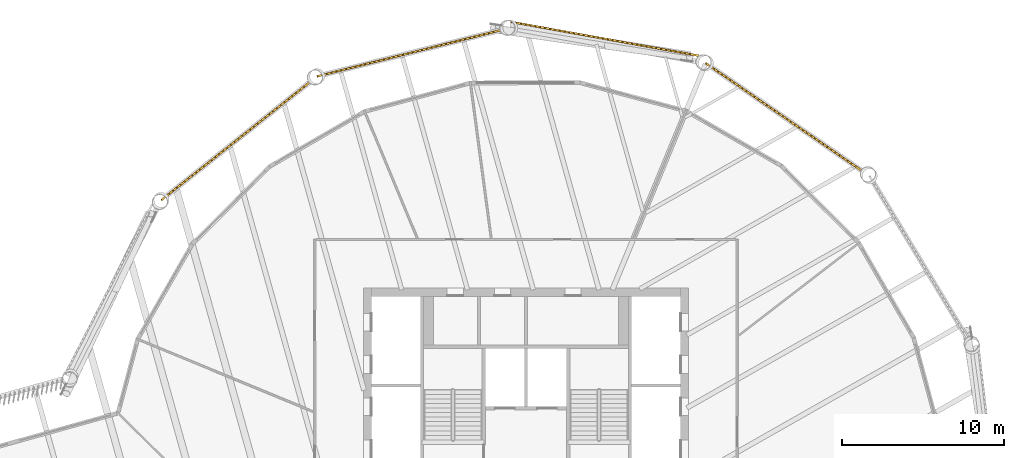
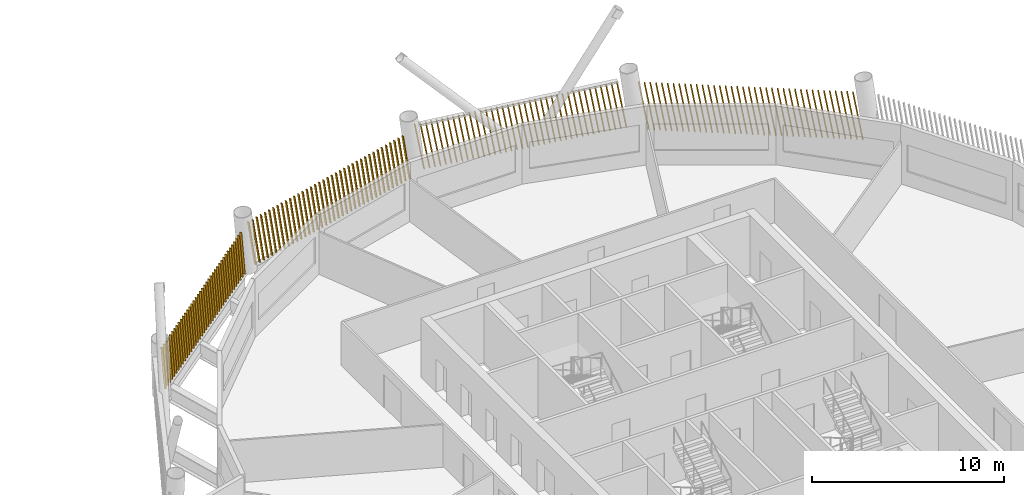
# One storey, part 20 of 21: 4 shading devices.
"""IFC4 building model written with IfcOpenShell, lengths in metres."""

from ifc_helpers import new_model, si_unit, direction, frame, frame_2d, origin, place, context, subcontext, project, spatial, rectangle, composite_profile, extrude, material, type_object, element, save


model = new_model("IFC4")

# Units and contexts
model_context = context("Model", 3, precision=1e-05, world=origin(), true_north=direction((0.0, 1.0)))
body_context = subcontext(model_context, "Body", "Model", "MODEL_VIEW")
ifc_project = project(units=[si_unit("LENGTHUNIT", "METRE"), si_unit("AREAUNIT", "SQUARE_METRE"), si_unit("VOLUMEUNIT", "CUBIC_METRE"), si_unit("PLANEANGLEUNIT", "RADIAN"), si_unit("MASSUNIT", "GRAM", prefix="KILO")], contexts=[model_context])

# Site, building, storey
site_placement = place(None, origin())
site = spatial("IfcSite", under=ifc_project, at=site_placement, CompositionType="ELEMENT")
building_placement = place(site_placement, origin())
building = spatial("IfcBuilding", under=site, at=building_placement, Name="Tarsis Ring Headquarters", CompositionType="ELEMENT")
storey_placement = place(building_placement, frame((0.0, 0.0, 347.0)))
storey = spatial("IfcBuildingStorey", under=building, at=storey_placement, Name="L82", CompositionType="ELEMENT", Elevation=347.0)

# Shading devices
ifc_material = material(Name="Terracotta baguette", Category="masonry")
shading_device_type = type_object("IfcShadingDeviceType", Name="Terracotta baguette screen", PredefinedType="USERDEFINED", material=ifc_material)
shading_device_1_placement = place(storey_placement, frame((20.743896484375, 20.18994140625, 0.0), z_axis=(0.0, 0.0, 1.0), x_axis=(-0.823422172064, 0.567432068756, 0.0)))
element("IfcShadingDevice", 1, at=shading_device_1_placement, inside=storey, type_object=shading_device_type, Name="Baguette screen L82-10", ObjectType="Terracotta baguette screen", PredefinedType="USERDEFINED", context=body_context, shape_type="SweptSolid", body=[
    extrude(composite_profile([rectangle(XDim=0.06005859375, YDim=0.1201171875, at=frame_2d((0.030029296875, 0.0))), rectangle(XDim=0.06005859375, YDim=0.1201171875, at=frame_2d((0.33251953125, 0.0))), rectangle(XDim=0.06005859375, YDim=0.1201171875, at=frame_2d((0.634765625, 0.0))), rectangle(XDim=0.06005859375, YDim=0.1201171875, at=frame_2d((0.937255859375, 0.0))), rectangle(XDim=0.06005859375, YDim=0.1201171875, at=frame_2d((1.239501953125, 0.0))), rectangle(XDim=0.06005859375, YDim=0.1201171875, at=frame_2d((1.5419921875, 0.0))), rectangle(XDim=0.06005859375, YDim=0.1201171875, at=frame_2d((1.844482421875, 0.0))), rectangle(XDim=0.06005859375, YDim=0.1201171875, at=frame_2d((2.146728515625, 0.0))), rectangle(XDim=0.06005859375, YDim=0.1201171875, at=frame_2d((2.44921875, 0.0))), rectangle(XDim=0.06005859375, YDim=0.1201171875, at=frame_2d((2.751708984375, 0.0))), rectangle(XDim=0.06005859375, YDim=0.1201171875, at=frame_2d((3.053955078125, 0.0))), rectangle(XDim=0.06005859375, YDim=0.1201171875, at=frame_2d((3.3564453125, 0.0))), rectangle(XDim=0.06005859375, YDim=0.1201171875, at=frame_2d((3.65869140625, 0.0))), rectangle(XDim=0.06005859375, YDim=0.1201171875, at=frame_2d((3.961181640625, 0.0))), rectangle(XDim=0.06005859375, YDim=0.1201171875, at=frame_2d((4.263671875, 0.0))), rectangle(XDim=0.06005859375, YDim=0.1201171875, at=frame_2d((4.56591796875, 0.0))), rectangle(XDim=0.06005859375, YDim=0.1201171875, at=frame_2d((4.868408203125, 0.0))), rectangle(XDim=0.06005859375, YDim=0.1201171875, at=frame_2d((5.1708984375, 0.0))), rectangle(XDim=0.06005859375, YDim=0.1201171875, at=frame_2d((5.47314453125, 0.0))), rectangle(XDim=0.06005859375, YDim=0.1201171875, at=frame_2d((5.775634765625, 0.0))), rectangle(XDim=0.06005859375, YDim=0.1201171875, at=frame_2d((6.077880859375, 0.0))), rectangle(XDim=0.06005859375, YDim=0.1201171875, at=frame_2d((6.38037109375, 0.0))), rectangle(XDim=0.06005859375, YDim=0.1201171875, at=frame_2d((6.682861328125, 0.0))), rectangle(XDim=0.06005859375, YDim=0.1201171875, at=frame_2d((6.985107421875, 0.0))), rectangle(XDim=0.06005859375, YDim=0.1201171875, at=frame_2d((7.28759765625, 0.0))), rectangle(XDim=0.06005859375, YDim=0.1201171875, at=frame_2d((7.590087890625, 0.0))), rectangle(XDim=0.06005859375, YDim=0.1201171875, at=frame_2d((7.892333984375, 0.0))), rectangle(XDim=0.06005859375, YDim=0.1201171875, at=frame_2d((8.19482421875, 0.0))), rectangle(XDim=0.06005859375, YDim=0.1201171875, at=frame_2d((8.4970703125, 0.0))), rectangle(XDim=0.06005859375, YDim=0.1201171875, at=frame_2d((8.799560546875, 0.0))), rectangle(XDim=0.06005859375, YDim=0.1201171875, at=frame_2d((9.10205078125, 0.0))), rectangle(XDim=0.06005859375, YDim=0.1201171875, at=frame_2d((9.404296875, 0.0))), rectangle(XDim=0.06005859375, YDim=0.1201171875, at=frame_2d((9.706787109375, 0.0))), rectangle(XDim=0.06005859375, YDim=0.1201171875, at=frame_2d((10.00927734375, 0.0))), rectangle(XDim=0.06005859375, YDim=0.1201171875, at=frame_2d((10.3115234375, 0.0))), rectangle(XDim=0.06005859375, YDim=0.1201171875, at=frame_2d((10.614013671875, 0.0))), rectangle(XDim=0.06005859375, YDim=0.1201171875, at=frame_2d((10.916259765625, 0.0))), rectangle(XDim=0.06005859375, YDim=0.1201171875, at=frame_2d((11.21875, 0.0)))]), origin(), (0.171101800834, 0.0015527085, 0.985252131613), 3.01220703125),
])
shading_device_2_placement = place(storey_placement, frame((10.64404296875, 27.314453125, 0.0), z_axis=(0.0, 0.0, 1.0), x_axis=(-0.984112859468, 0.177580032556, 0.0)))
element("IfcShadingDevice", 2, at=shading_device_2_placement, inside=storey, type_object=shading_device_type, Name="Baguette screen L82-11", ObjectType="Terracotta baguette screen", PredefinedType="USERDEFINED", context=body_context, shape_type="SweptSolid", body=[
    extrude(composite_profile([rectangle(XDim=0.06005859375, YDim=0.1201171875, at=frame_2d((0.030029296875, 0.0))), rectangle(XDim=0.06005859375, YDim=0.1201171875, at=frame_2d((0.33251953125, 0.0))), rectangle(XDim=0.06005859375, YDim=0.1201171875, at=frame_2d((0.634765625, 0.0))), rectangle(XDim=0.06005859375, YDim=0.1201171875, at=frame_2d((0.937255859375, 0.0))), rectangle(XDim=0.06005859375, YDim=0.1201171875, at=frame_2d((1.239501953125, 0.0))), rectangle(XDim=0.06005859375, YDim=0.1201171875, at=frame_2d((1.5419921875, 0.0))), rectangle(XDim=0.06005859375, YDim=0.1201171875, at=frame_2d((1.844482421875, 0.0))), rectangle(XDim=0.06005859375, YDim=0.1201171875, at=frame_2d((2.146728515625, 0.0))), rectangle(XDim=0.06005859375, YDim=0.1201171875, at=frame_2d((2.44921875, 0.0))), rectangle(XDim=0.06005859375, YDim=0.1201171875, at=frame_2d((2.751708984375, 0.0))), rectangle(XDim=0.06005859375, YDim=0.1201171875, at=frame_2d((3.053955078125, 0.0))), rectangle(XDim=0.06005859375, YDim=0.1201171875, at=frame_2d((3.3564453125, 0.0))), rectangle(XDim=0.06005859375, YDim=0.1201171875, at=frame_2d((3.65869140625, 0.0))), rectangle(XDim=0.06005859375, YDim=0.1201171875, at=frame_2d((3.961181640625, 0.0))), rectangle(XDim=0.06005859375, YDim=0.1201171875, at=frame_2d((4.263671875, 0.0))), rectangle(XDim=0.06005859375, YDim=0.1201171875, at=frame_2d((4.56591796875, 0.0))), rectangle(XDim=0.06005859375, YDim=0.1201171875, at=frame_2d((4.868408203125, 0.0))), rectangle(XDim=0.06005859375, YDim=0.1201171875, at=frame_2d((5.1708984375, 0.0))), rectangle(XDim=0.06005859375, YDim=0.1201171875, at=frame_2d((5.47314453125, 0.0))), rectangle(XDim=0.06005859375, YDim=0.1201171875, at=frame_2d((5.775634765625, 0.0))), rectangle(XDim=0.06005859375, YDim=0.1201171875, at=frame_2d((6.077880859375, 0.0))), rectangle(XDim=0.06005859375, YDim=0.1201171875, at=frame_2d((6.38037109375, 0.0))), rectangle(XDim=0.06005859375, YDim=0.1201171875, at=frame_2d((6.682861328125, 0.0))), rectangle(XDim=0.06005859375, YDim=0.1201171875, at=frame_2d((6.985107421875, 0.0))), rectangle(XDim=0.06005859375, YDim=0.1201171875, at=frame_2d((7.28759765625, 0.0))), rectangle(XDim=0.06005859375, YDim=0.1201171875, at=frame_2d((7.590087890625, 0.0))), rectangle(XDim=0.06005859375, YDim=0.1201171875, at=frame_2d((7.892333984375, 0.0))), rectangle(XDim=0.06005859375, YDim=0.1201171875, at=frame_2d((8.19482421875, 0.0))), rectangle(XDim=0.06005859375, YDim=0.1201171875, at=frame_2d((8.4970703125, 0.0))), rectangle(XDim=0.06005859375, YDim=0.1201171875, at=frame_2d((8.799560546875, 0.0))), rectangle(XDim=0.06005859375, YDim=0.1201171875, at=frame_2d((9.10205078125, 0.0))), rectangle(XDim=0.06005859375, YDim=0.1201171875, at=frame_2d((9.404296875, 0.0))), rectangle(XDim=0.06005859375, YDim=0.1201171875, at=frame_2d((9.706787109375, 0.0))), rectangle(XDim=0.06005859375, YDim=0.1201171875, at=frame_2d((10.00927734375, 0.0))), rectangle(XDim=0.06005859375, YDim=0.1201171875, at=frame_2d((10.3115234375, 0.0))), rectangle(XDim=0.06005859375, YDim=0.1201171875, at=frame_2d((10.614013671875, 0.0))), rectangle(XDim=0.06005859375, YDim=0.1201171875, at=frame_2d((10.916259765625, 0.0))), rectangle(XDim=0.06005859375, YDim=0.1201171875, at=frame_2d((11.21875, 0.0)))]), origin(), (0.173294776648, 0.001572883368, 0.984868745785), 3.013427734375),
])
shading_device_3_placement = place(storey_placement, frame((-1.469482421875, 28.909912109375, 0.0), z_axis=(0.0, 0.0, 1.0), x_axis=(-0.969810747461, -0.24383627051, 0.0)))
element("IfcShadingDevice", 3, at=shading_device_3_placement, inside=storey, type_object=shading_device_type, Name="Baguette screen L82-12", ObjectType="Terracotta baguette screen", PredefinedType="USERDEFINED", context=body_context, shape_type="SweptSolid", body=[
    extrude(composite_profile([rectangle(XDim=0.06005859375, YDim=0.1201171875, at=frame_2d((0.030029296875, 0.0))), rectangle(XDim=0.06005859375, YDim=0.1201171875, at=frame_2d((0.33251953125, 0.0))), rectangle(XDim=0.06005859375, YDim=0.1201171875, at=frame_2d((0.634765625, 0.0))), rectangle(XDim=0.06005859375, YDim=0.1201171875, at=frame_2d((0.937255859375, 0.0))), rectangle(XDim=0.06005859375, YDim=0.1201171875, at=frame_2d((1.239501953125, 0.0))), rectangle(XDim=0.06005859375, YDim=0.1201171875, at=frame_2d((1.5419921875, 0.0))), rectangle(XDim=0.06005859375, YDim=0.1201171875, at=frame_2d((1.844482421875, 0.0))), rectangle(XDim=0.06005859375, YDim=0.1201171875, at=frame_2d((2.146728515625, 0.0))), rectangle(XDim=0.06005859375, YDim=0.1201171875, at=frame_2d((2.44921875, 0.0))), rectangle(XDim=0.06005859375, YDim=0.1201171875, at=frame_2d((2.751708984375, 0.0))), rectangle(XDim=0.06005859375, YDim=0.1201171875, at=frame_2d((3.053955078125, 0.0))), rectangle(XDim=0.06005859375, YDim=0.1201171875, at=frame_2d((3.3564453125, 0.0))), rectangle(XDim=0.06005859375, YDim=0.1201171875, at=frame_2d((3.65869140625, 0.0))), rectangle(XDim=0.06005859375, YDim=0.1201171875, at=frame_2d((3.961181640625, 0.0))), rectangle(XDim=0.06005859375, YDim=0.1201171875, at=frame_2d((4.263671875, 0.0))), rectangle(XDim=0.06005859375, YDim=0.1201171875, at=frame_2d((4.56591796875, 0.0))), rectangle(XDim=0.06005859375, YDim=0.1201171875, at=frame_2d((4.868408203125, 0.0))), rectangle(XDim=0.06005859375, YDim=0.1201171875, at=frame_2d((5.1708984375, 0.0))), rectangle(XDim=0.06005859375, YDim=0.1201171875, at=frame_2d((5.47314453125, 0.0))), rectangle(XDim=0.06005859375, YDim=0.1201171875, at=frame_2d((5.775634765625, 0.0))), rectangle(XDim=0.06005859375, YDim=0.1201171875, at=frame_2d((6.077880859375, 0.0))), rectangle(XDim=0.06005859375, YDim=0.1201171875, at=frame_2d((6.38037109375, 0.0))), rectangle(XDim=0.06005859375, YDim=0.1201171875, at=frame_2d((6.682861328125, 0.0))), rectangle(XDim=0.06005859375, YDim=0.1201171875, at=frame_2d((6.985107421875, 0.0))), rectangle(XDim=0.06005859375, YDim=0.1201171875, at=frame_2d((7.28759765625, 0.0))), rectangle(XDim=0.06005859375, YDim=0.1201171875, at=frame_2d((7.590087890625, 0.0))), rectangle(XDim=0.06005859375, YDim=0.1201171875, at=frame_2d((7.892333984375, 0.0))), rectangle(XDim=0.06005859375, YDim=0.1201171875, at=frame_2d((8.19482421875, 0.0))), rectangle(XDim=0.06005859375, YDim=0.1201171875, at=frame_2d((8.4970703125, 0.0))), rectangle(XDim=0.06005859375, YDim=0.1201171875, at=frame_2d((8.799560546875, 0.0))), rectangle(XDim=0.06005859375, YDim=0.1201171875, at=frame_2d((9.10205078125, 0.0))), rectangle(XDim=0.06005859375, YDim=0.1201171875, at=frame_2d((9.404296875, 0.0))), rectangle(XDim=0.06005859375, YDim=0.1201171875, at=frame_2d((9.706787109375, 0.0))), rectangle(XDim=0.06005859375, YDim=0.1201171875, at=frame_2d((10.00927734375, 0.0))), rectangle(XDim=0.06005859375, YDim=0.1201171875, at=frame_2d((10.3115234375, 0.0))), rectangle(XDim=0.06005859375, YDim=0.1201171875, at=frame_2d((10.614013671875, 0.0))), rectangle(XDim=0.06005859375, YDim=0.1201171875, at=frame_2d((10.916259765625, 0.0))), rectangle(XDim=0.06005859375, YDim=0.1201171875, at=frame_2d((11.21875, 0.0)))]), origin(), (0.171100564687, 0.001554522078, 0.985252343425), 3.01220703125),
])
shading_device_4_placement = place(storey_placement, frame((-13.25537109375, 25.734130859375, 0.0), z_axis=(0.0, 0.0, 1.0), x_axis=(-0.783071079761, -0.621920781335, 0.0)))
element("IfcShadingDevice", 4, at=shading_device_4_placement, inside=storey, type_object=shading_device_type, Name="Baguette screen L82-13", ObjectType="Terracotta baguette screen", PredefinedType="USERDEFINED", context=body_context, shape_type="SweptSolid", body=[
    extrude(composite_profile([rectangle(XDim=0.06005859375, YDim=0.1201171875, at=frame_2d((0.030029296875, 0.0))), rectangle(XDim=0.06005859375, YDim=0.1201171875, at=frame_2d((0.33251953125, 0.0))), rectangle(XDim=0.06005859375, YDim=0.1201171875, at=frame_2d((0.634765625, 0.0))), rectangle(XDim=0.06005859375, YDim=0.1201171875, at=frame_2d((0.937255859375, 0.0))), rectangle(XDim=0.06005859375, YDim=0.1201171875, at=frame_2d((1.239501953125, 0.0))), rectangle(XDim=0.06005859375, YDim=0.1201171875, at=frame_2d((1.5419921875, 0.0))), rectangle(XDim=0.06005859375, YDim=0.1201171875, at=frame_2d((1.844482421875, 0.0))), rectangle(XDim=0.06005859375, YDim=0.1201171875, at=frame_2d((2.146728515625, 0.0))), rectangle(XDim=0.06005859375, YDim=0.1201171875, at=frame_2d((2.44921875, 0.0))), rectangle(XDim=0.06005859375, YDim=0.1201171875, at=frame_2d((2.751708984375, 0.0))), rectangle(XDim=0.06005859375, YDim=0.1201171875, at=frame_2d((3.053955078125, 0.0))), rectangle(XDim=0.06005859375, YDim=0.1201171875, at=frame_2d((3.3564453125, 0.0))), rectangle(XDim=0.06005859375, YDim=0.1201171875, at=frame_2d((3.65869140625, 0.0))), rectangle(XDim=0.06005859375, YDim=0.1201171875, at=frame_2d((3.961181640625, 0.0))), rectangle(XDim=0.06005859375, YDim=0.1201171875, at=frame_2d((4.263671875, 0.0))), rectangle(XDim=0.06005859375, YDim=0.1201171875, at=frame_2d((4.56591796875, 0.0))), rectangle(XDim=0.06005859375, YDim=0.1201171875, at=frame_2d((4.868408203125, 0.0))), rectangle(XDim=0.06005859375, YDim=0.1201171875, at=frame_2d((5.1708984375, 0.0))), rectangle(XDim=0.06005859375, YDim=0.1201171875, at=frame_2d((5.47314453125, 0.0))), rectangle(XDim=0.06005859375, YDim=0.1201171875, at=frame_2d((5.775634765625, 0.0))), rectangle(XDim=0.06005859375, YDim=0.1201171875, at=frame_2d((6.077880859375, 0.0))), rectangle(XDim=0.06005859375, YDim=0.1201171875, at=frame_2d((6.38037109375, 0.0))), rectangle(XDim=0.06005859375, YDim=0.1201171875, at=frame_2d((6.682861328125, 0.0))), rectangle(XDim=0.06005859375, YDim=0.1201171875, at=frame_2d((6.985107421875, 0.0))), rectangle(XDim=0.06005859375, YDim=0.1201171875, at=frame_2d((7.28759765625, 0.0))), rectangle(XDim=0.06005859375, YDim=0.1201171875, at=frame_2d((7.590087890625, 0.0))), rectangle(XDim=0.06005859375, YDim=0.1201171875, at=frame_2d((7.892333984375, 0.0))), rectangle(XDim=0.06005859375, YDim=0.1201171875, at=frame_2d((8.19482421875, 0.0))), rectangle(XDim=0.06005859375, YDim=0.1201171875, at=frame_2d((8.4970703125, 0.0))), rectangle(XDim=0.06005859375, YDim=0.1201171875, at=frame_2d((8.799560546875, 0.0))), rectangle(XDim=0.06005859375, YDim=0.1201171875, at=frame_2d((9.10205078125, 0.0))), rectangle(XDim=0.06005859375, YDim=0.1201171875, at=frame_2d((9.404296875, 0.0))), rectangle(XDim=0.06005859375, YDim=0.1201171875, at=frame_2d((9.706787109375, 0.0))), rectangle(XDim=0.06005859375, YDim=0.1201171875, at=frame_2d((10.00927734375, 0.0))), rectangle(XDim=0.06005859375, YDim=0.1201171875, at=frame_2d((10.3115234375, 0.0))), rectangle(XDim=0.06005859375, YDim=0.1201171875, at=frame_2d((10.614013671875, 0.0))), rectangle(XDim=0.06005859375, YDim=0.1201171875, at=frame_2d((10.916259765625, 0.0))), rectangle(XDim=0.06005859375, YDim=0.1201171875, at=frame_2d((11.21875, 0.0)))]), origin(), (0.171100151869, 0.001550972856, 0.985252420709), 3.01220703125),
])

save(model, "model.ifc")
